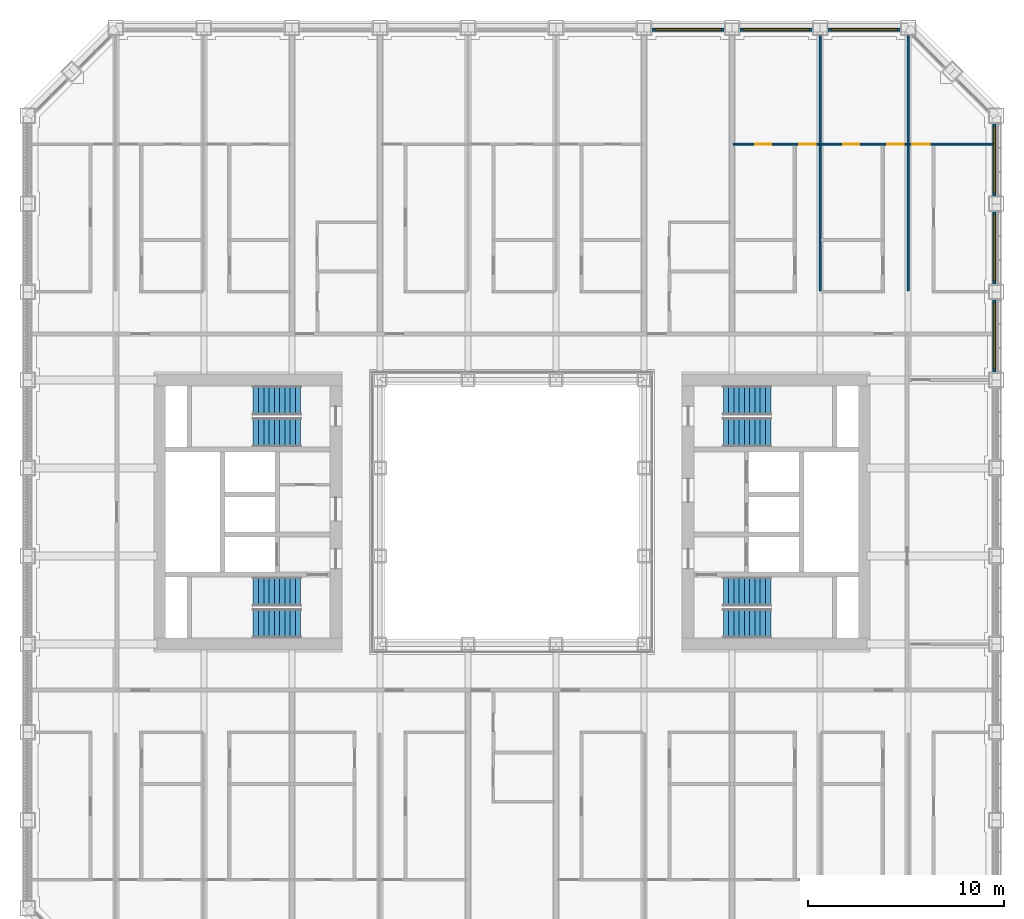
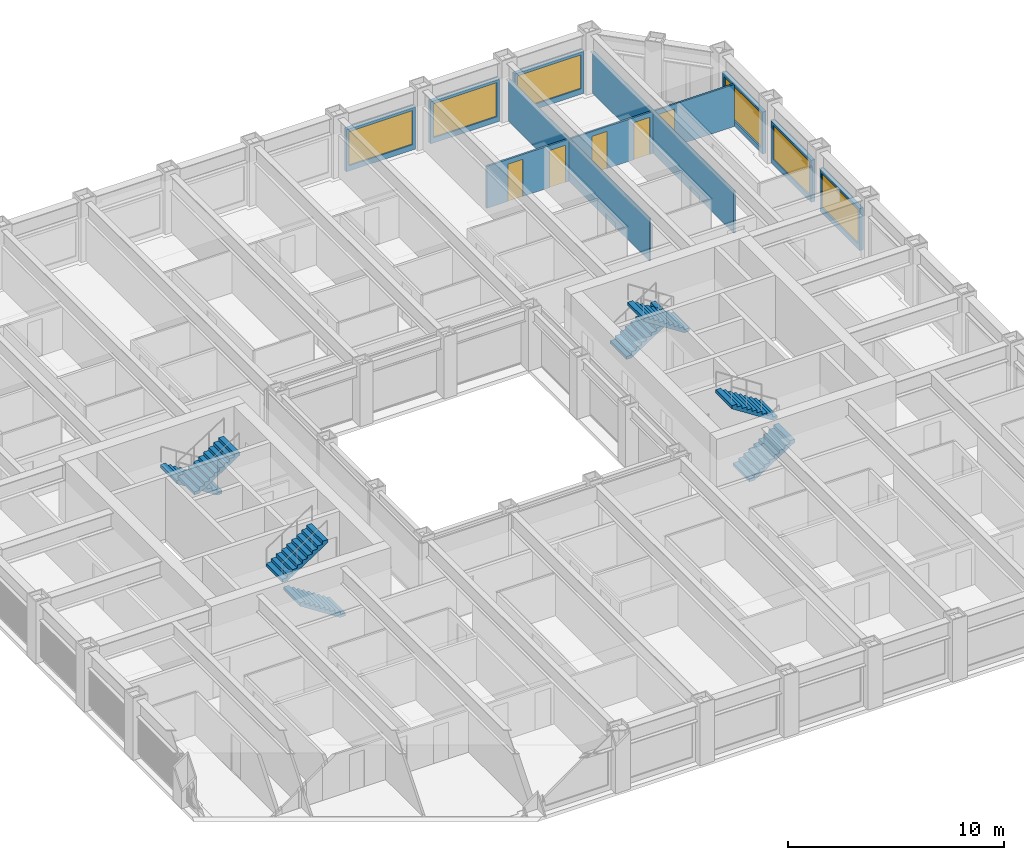
# One storey, part 15 of 20: 11 walls, 8 stair flights, 6 windows, 5 doors, 11 openings, 4 elements without a shape of their own.
"""IFC4 building model written with IfcOpenShell, lengths in metres."""

import ifcopenshell
import ifcopenshell.guid

model = None  # the IFC model being written
_history = None  # IfcOwnerHistory: only IFC2X3 demands one
_inside = {}  # id of a spatial element -> (the spatial element, [elements in it])
_under = {}  # id of a project, library or spatial element -> (it, [spatial elements below it])
_declared = {}  # id of a project -> (the project, [libraries it declares])
_typed = {}  # id of a type object -> (the type object, [elements of that type])
_made_of = {}  # id of a material, layer set ... -> (it, [elements and type objects made of it])


def new_model(schema):
    """Start an empty IFC model of exactly this schema.

    Asked for "IFC4X3", IfcOpenShell would pick the latest addendum, in which some entities
    have other attributes; the version numbers below select the first issue.
    IFC2X3 requires an IfcOwnerHistory on every rooted entity: one is made here for all.
    """
    global model, _history
    if schema == "IFC4X3":
        model = ifcopenshell.file(schema_version=(4, 3, 0, 0))
    else:
        model = ifcopenshell.file(schema=schema)
    _inside.clear()
    _under.clear()
    _declared.clear()
    _typed.clear()
    _made_of.clear()
    _history = None
    if model.schema == "IFC2X3":
        org = make("IfcOrganization", Name="unknown")
        user = make(
            "IfcPersonAndOrganization",
            ThePerson=make("IfcPerson", FamilyName="unknown"),
            TheOrganization=org,
        )
        app = make(
            "IfcApplication",
            ApplicationDeveloper=org,
            Version="unknown",
            ApplicationFullName="unknown",
            ApplicationIdentifier="unknown",
        )
        _history = make(
            "IfcOwnerHistory",
            OwningUser=user,
            OwningApplication=app,
            ChangeAction="ADDED",
            CreationDate=0,
        )
    return model


def make(cls, **values):
    """One entity of the class cls with the attributes given. An attribute that is None is left unset."""
    return model.create_entity(
        cls, **{name: value for name, value in values.items() if value is not None}
    )


def rooted(cls, **values):
    """An entity with a GlobalId (a new one), such as an element, a storey or a relation."""
    return make(cls, GlobalId=ifcopenshell.guid.new(), OwnerHistory=_history, **values)


def si_unit(unit_type, name, prefix=None):
    """IfcSIUnit, for example si_unit("LENGTHUNIT", "METRE", prefix="MILLI")."""
    return make("IfcSIUnit", UnitType=unit_type, Prefix=prefix, Name=name)


def assignment(units):
    """IfcUnitAssignment: the units of a project."""
    return None if units is None else make("IfcUnitAssignment", Units=units)


def point(xyz):
    """IfcCartesianPoint."""
    return None if xyz is None else make("IfcCartesianPoint", Coordinates=xyz)


def direction(xyz):
    """IfcDirection."""
    return None if xyz is None else make("IfcDirection", DirectionRatios=xyz)


def frame(location, z_axis=None, x_axis=None):
    """IfcAxis2Placement3D, a coordinate frame: its origin and axes. An axis left out is left unset."""
    return make(
        "IfcAxis2Placement3D",
        Location=point(location),
        Axis=direction(z_axis),
        RefDirection=direction(x_axis),
    )


def frame_2d(location, x_axis=None):
    """IfcAxis2Placement2D, a coordinate frame in the plane: its origin and x axis."""
    return make(
        "IfcAxis2Placement2D", Location=point(location), RefDirection=direction(x_axis)
    )


def origin():
    """The frame at (0, 0, 0) with its axes left unset."""
    return frame((0.0, 0.0, 0.0))


def place(relative_to, where):
    """IfcLocalPlacement: puts the frame where relative to a parent placement (None: the world)."""
    return make(
        "IfcLocalPlacement", PlacementRelTo=relative_to, RelativePlacement=where
    )


def context(
    kind, dimensions, precision=None, world=None, true_north=None, identifier=None
):
    """IfcGeometricRepresentationContext, for example the 3D "Model" context."""
    return make(
        "IfcGeometricRepresentationContext",
        ContextIdentifier=identifier,
        ContextType=kind,
        CoordinateSpaceDimension=dimensions,
        Precision=precision,
        WorldCoordinateSystem=world,
        TrueNorth=true_north,
    )


def subcontext(parent, identifier, kind, view, scale=None):
    """IfcGeometricRepresentationSubContext, for example "Body" below "Model"."""
    return make(
        "IfcGeometricRepresentationSubContext",
        ContextIdentifier=identifier,
        ContextType=kind,
        ParentContext=parent,
        TargetScale=scale,
        TargetView=view,
    )


def project(units=None, contexts=None):
    """IfcProject with its units and contexts."""
    return rooted(
        "IfcProject",
        Name="project",
        RepresentationContexts=contexts,
        UnitsInContext=assignment(units),
    )


def spatial(cls, under=None, at=None, **own):
    """A site, building, storey or space (cls), placed at a placement, below another one or the project."""
    s = rooted(cls, ObjectPlacement=at, **own)
    if under is not None:
        _under.setdefault(under.id(), (under, []))[1].append(s)
    return s


def polyline(points):
    """IfcPolyline through the points."""
    return make("IfcPolyline", Points=[point(p) for p in points])


def profile(cls, at=None, kind="AREA", **sizes):
    """A parametric profile (cls). Its sizes go by their IFC names, for example OverallWidth=200.0."""
    return make(cls, ProfileType=kind, Position=at, **sizes)


def rectangle(**sizes):
    """IfcRectangleProfileDef."""
    return profile("IfcRectangleProfileDef", **sizes)


def outline(outer, holes=None, kind="AREA"):
    """IfcArbitraryClosedProfileDef: a profile drawn as a closed curve; with holes, ...WithVoids."""
    if holes is None:
        return make("IfcArbitraryClosedProfileDef", ProfileType=kind, OuterCurve=outer)
    return make(
        "IfcArbitraryProfileDefWithVoids",
        ProfileType=kind,
        OuterCurve=outer,
        InnerCurves=holes,
    )


def extrude(swept, where, along, depth):
    """IfcExtrudedAreaSolid: the profile swept, set in the frame where, extruded along a direction by depth."""
    return make(
        "IfcExtrudedAreaSolid",
        SweptArea=swept,
        Position=where,
        ExtrudedDirection=direction(along),
        Depth=depth,
    )


def shape(context_of_items, identifier, shape_type, items):
    """IfcShapeRepresentation: the items that make up one representation, for example the "Body"."""
    return make(
        "IfcShapeRepresentation",
        ContextOfItems=context_of_items,
        RepresentationIdentifier=identifier,
        RepresentationType=shape_type,
        Items=items,
    )


def material(Name=None, Category=None):
    """IfcMaterial."""
    return make("IfcMaterial", Name=Name, Category=Category)


def layer(
    of_material, thickness, ventilated=None, Name=None, Category=None, Priority=None
):
    """IfcMaterialLayer: one layer of a wall or slab, of a material (None: an air gap)."""
    return make(
        "IfcMaterialLayer",
        Material=of_material,
        LayerThickness=thickness,
        IsVentilated=ventilated,
        Name=Name,
        Category=Category,
        Priority=Priority,
    )


def layer_set(layers, Name=None):
    """IfcMaterialLayerSet."""
    return make("IfcMaterialLayerSet", MaterialLayers=layers, LayerSetName=Name)


def made_of(thing, what):
    """Note that an element or type object is made of a material, layer set ...; save() writes the relation."""
    if what is not None:
        _made_of.setdefault(what.id(), (what, []))[1].append(thing)
    return thing


def type_object(cls, material=None, **own):
    """A type object (cls), such as IfcWallType, which elements share."""
    return made_of(rooted(cls, **own), material)


def element(
    cls,
    number,
    at=None,
    inside=None,
    cuts=None,
    type_object=None,
    material=None,
    context=None,
    identifier="Body",
    shape_type=None,
    held_by="IfcProductDefinitionShape",
    body=None,
    shapes=None,
    **own,
):
    """One element of the class cls, such as IfcWall. Its Tag is "e" and its number.

    at: its placement. inside: the storey or other place that contains it. cuts: it is an
    opening in that element (IfcRelVoidsElement). A single representation is given by context,
    identifier, shape_type and body (its items); several are given by shapes. held_by: the class
    of the entity that holds the representations. save() writes the other relations.
    """
    e = rooted(cls, Tag="e%d" % number, ObjectPlacement=at, **own)
    if body is not None:
        shapes = [shape(context, identifier, shape_type, body)]
    if shapes is not None:
        e.Representation = make(held_by, Representations=shapes)
    if inside is not None:
        _inside.setdefault(inside.id(), (inside, []))[1].append(e)
    if cuts is not None:
        rooted(
            "IfcRelVoidsElement", RelatingBuildingElement=cuts, RelatedOpeningElement=e
        )
    if type_object is not None:
        _typed.setdefault(type_object.id(), (type_object, []))[1].append(e)
    return made_of(e, material)


def fill(opening, filler):
    """IfcRelFillsElement: the door or window that sits in an opening."""
    return rooted(
        "IfcRelFillsElement",
        RelatingOpeningElement=opening,
        RelatedBuildingElement=filler,
    )


def aggregate(whole, parts):
    """IfcRelAggregates: a whole, such as a stair, and the parts it consists of."""
    return rooted("IfcRelAggregates", RelatingObject=whole, RelatedObjects=parts)


def save(model, path):
    """Write the relations noted so far, then the file.

    IfcRelAggregates (storeys below a building ...), IfcRelContainedInSpatialStructure (elements
    in a storey), IfcRelDefinesByType, IfcRelAssociatesMaterial and IfcRelDeclares: one each for
    every whole, place, type object, material and project.
    """
    for whole, parts in _under.values():
        aggregate(whole, parts)
    for where, things in _inside.values():
        rooted(
            "IfcRelContainedInSpatialStructure",
            RelatedElements=things,
            RelatingStructure=where,
        )
    for kind, things in _typed.values():
        rooted("IfcRelDefinesByType", RelatedObjects=things, RelatingType=kind)
    for what, things in _made_of.values():
        rooted("IfcRelAssociatesMaterial", RelatedObjects=things, RelatingMaterial=what)
    for by, libraries in _declared.values():
        rooted("IfcRelDeclares", RelatingContext=by, RelatedDefinitions=libraries)
    model.write(path)


model = new_model("IFC4")

# Units and contexts
model_context = context("Model", 3, precision=1e-05, world=origin(), true_north=direction((0.0, 1.0)))
body_context = subcontext(model_context, "Body", "Model", "MODEL_VIEW")
ifc_project = project(units=[si_unit("LENGTHUNIT", "METRE"), si_unit("AREAUNIT", "SQUARE_METRE"), si_unit("VOLUMEUNIT", "CUBIC_METRE"), si_unit("PLANEANGLEUNIT", "RADIAN"), si_unit("MASSUNIT", "GRAM", prefix="KILO")], contexts=[model_context])

# Site, building, storey
site_placement = place(None, origin())
site = spatial("IfcSite", under=ifc_project, at=site_placement, CompositionType="ELEMENT")
building_placement = place(site_placement, origin())
building = spatial("IfcBuilding", under=site, at=building_placement, Name="Msasa Ring Tower", CompositionType="ELEMENT")
storey_placement = place(building_placement, frame((0.0, 0.0, 58.0)))
storey = spatial("IfcBuildingStorey", under=building, at=storey_placement, Name="L14", CompositionType="ELEMENT", Elevation=58.0)

# Wall, opening, window
ifc_material_1 = material(Name="Terracotta rainscreen on blockwork", Category="masonry")
ifc_layer_1 = layer(ifc_material_1, 0.199951171875)
ifc_layer_set_1 = layer_set([ifc_layer_1], Name="FW1 TERRACOTTA-LINED INFILL BAY WALL 200")
wall_type_1 = type_object("IfcWallType", Name="FW1 TERRACOTTA-LINED INFILL BAY WALL 200", PredefinedType="SOLIDWALL", material=ifc_layer_set_1)
wall_1_placement = place(storey_placement, frame((24.64990234375, 7.155029296875, 0.0), z_axis=(0.0, 0.0, 1.0), x_axis=(0.0, 1.0, 0.0)))
wall_1 = element("IfcWall", 1, at=wall_1_placement, inside=storey, type_object=wall_type_1, Name="Infill bay wall E L14 17", PredefinedType="SOLIDWALL", context=body_context, shape_type="SweptSolid", body=[
    extrude(rectangle(XDim=3.68994140625, YDim=0.199951171875, at=frame_2d((1.844970703125, 0.0))), origin(), (0.0, 0.0, 1.0), 2.37890625),
])
opening_1_placement = place(wall_1_placement, frame((0.14501953125, 0.0, 0.300048828125)))
opening_1 = element("IfcOpeningElement", 2, at=opening_1_placement, cuts=wall_1, Name="Opening WN1", PredefinedType="OPENING", context=body_context, shape_type="SweptSolid", body=[
    extrude(rectangle(XDim=3.39990234375, YDim=1.928955078125, at=frame_2d((1.699951171875, 0.96435546875))), frame((0.0, 0.10986328125, 0.0), z_axis=(0.0, -1.0, 0.0), x_axis=(1.0, 0.0, 0.0)), (0.0, 0.0, 1.0), 0.219970703125),
])
ifc_material_2 = material(Name="Aluminium frame with clear glass", Category="aluminium")
window_type = type_object("IfcWindowType", Name="WN1 RESIDENCE WINDOW 3400x1929", PartitioningType="SINGLE_PANEL", PredefinedType="WINDOW", material=ifc_material_2)
window_1_placement = place(opening_1_placement, origin())
window_1 = element("IfcWindow", 3, at=window_1_placement, inside=storey, type_object=window_type, Name="Window E L14 17", OverallHeight=1.928955078125, OverallWidth=3.39990234375, PartitioningType="SINGLE_PANEL", PredefinedType="WINDOW", context=body_context, shape_type="SweptSolid", body=[
    extrude(rectangle(XDim=3.39990234375, YDim=1.928955078125, at=frame_2d((1.699951171875, 0.96435546875))), frame((0.0, 0.030029296875, 0.0), z_axis=(0.0, -1.0, 0.0), x_axis=(1.0, 0.0, 0.0)), (0.0, 0.0, 1.0), 0.06005859375),
])
fill(opening_1, window_1)

wall_2_placement = place(storey_placement, frame((24.64990234375, 11.655029296875, 0.0), z_axis=(0.0, 0.0, 1.0), x_axis=(0.0, 1.0, 0.0)))
wall_2 = element("IfcWall", 4, at=wall_2_placement, inside=storey, type_object=wall_type_1, Name="Infill bay wall E L14 18", PredefinedType="SOLIDWALL", context=body_context, shape_type="SweptSolid", body=[
    extrude(rectangle(XDim=3.68994140625, YDim=0.199951171875, at=frame_2d((1.844970703125, 0.0))), origin(), (0.0, 0.0, 1.0), 2.37890625),
])
opening_2_placement = place(wall_2_placement, frame((0.14501953125, 0.0, 0.300048828125)))
opening_2 = element("IfcOpeningElement", 5, at=opening_2_placement, cuts=wall_2, Name="Opening WN1", PredefinedType="OPENING", context=body_context, shape_type="SweptSolid", body=[
    extrude(rectangle(XDim=3.39990234375, YDim=1.928955078125, at=frame_2d((1.699951171875, 0.96435546875))), frame((0.0, 0.10986328125, 0.0), z_axis=(0.0, -1.0, 0.0), x_axis=(1.0, 0.0, 0.0)), (0.0, 0.0, 1.0), 0.219970703125),
])
window_2_placement = place(opening_2_placement, origin())
window_2 = element("IfcWindow", 6, at=window_2_placement, inside=storey, type_object=window_type, Name="Window E L14 18", OverallHeight=1.928955078125, OverallWidth=3.39990234375, PartitioningType="SINGLE_PANEL", PredefinedType="WINDOW", context=body_context, shape_type="SweptSolid", body=[
    extrude(rectangle(XDim=3.39990234375, YDim=1.928955078125, at=frame_2d((1.699951171875, 0.96435546875))), frame((0.0, 0.030029296875, 0.0), z_axis=(0.0, -1.0, 0.0), x_axis=(1.0, 0.0, 0.0)), (0.0, 0.0, 1.0), 0.06005859375),
])
fill(opening_2, window_2)

wall_3_placement = place(storey_placement, frame((24.64990234375, 16.155029296875, 0.0), z_axis=(0.0, 0.0, 1.0), x_axis=(0.0, 1.0, 0.0)))
wall_3 = element("IfcWall", 7, at=wall_3_placement, inside=storey, type_object=wall_type_1, Name="Infill bay wall E L14 19", PredefinedType="SOLIDWALL", context=body_context, shape_type="SweptSolid", body=[
    extrude(rectangle(XDim=3.68994140625, YDim=0.199951171875, at=frame_2d((1.844970703125, 0.0))), origin(), (0.0, 0.0, 1.0), 2.37890625),
])
opening_3_placement = place(wall_3_placement, frame((0.14501953125, 0.0, 0.300048828125)))
opening_3 = element("IfcOpeningElement", 8, at=opening_3_placement, cuts=wall_3, Name="Opening WN1", PredefinedType="OPENING", context=body_context, shape_type="SweptSolid", body=[
    extrude(rectangle(XDim=3.39990234375, YDim=1.928955078125, at=frame_2d((1.699951171875, 0.96435546875))), frame((0.0, 0.10986328125, 0.0), z_axis=(0.0, -1.0, 0.0), x_axis=(1.0, 0.0, 0.0)), (0.0, 0.0, 1.0), 0.219970703125),
])
window_3_placement = place(opening_3_placement, origin())
window_3 = element("IfcWindow", 9, at=window_3_placement, inside=storey, type_object=window_type, Name="Window E L14 19", OverallHeight=1.928955078125, OverallWidth=3.39990234375, PartitioningType="SINGLE_PANEL", PredefinedType="WINDOW", context=body_context, shape_type="SweptSolid", body=[
    extrude(rectangle(XDim=3.39990234375, YDim=1.928955078125, at=frame_2d((1.699951171875, 0.96435546875))), frame((0.0, 0.030029296875, 0.0), z_axis=(0.0, -1.0, 0.0), x_axis=(1.0, 0.0, 0.0)), (0.0, 0.0, 1.0), 0.06005859375),
])
fill(opening_3, window_3)

wall_4_placement = place(storey_placement, frame((7.155029296875, 24.64990234375, 0.0), z_axis=(0.0, 0.0, 1.0), x_axis=(1.0, 0.0, 0.0)))
wall_4 = element("IfcWall", 10, at=wall_4_placement, inside=storey, type_object=wall_type_1, Name="Infill bay wall N L14 28", PredefinedType="SOLIDWALL", context=body_context, shape_type="SweptSolid", body=[
    extrude(rectangle(XDim=3.68994140625, YDim=0.199951171875, at=frame_2d((1.844970703125, 0.0))), origin(), (0.0, 0.0, 1.0), 2.37890625),
])
opening_4_placement = place(wall_4_placement, frame((0.14501953125, 0.0, 0.300048828125)))
opening_4 = element("IfcOpeningElement", 11, at=opening_4_placement, cuts=wall_4, Name="Opening WN1", PredefinedType="OPENING", context=body_context, shape_type="SweptSolid", body=[
    extrude(rectangle(XDim=3.39990234375, YDim=1.928955078125, at=frame_2d((1.699951171875, 0.96435546875))), frame((0.0, 0.10986328125, 0.0), z_axis=(0.0, -1.0, 0.0), x_axis=(1.0, 0.0, 0.0)), (0.0, 0.0, 1.0), 0.219970703125),
])
window_4_placement = place(opening_4_placement, origin())
window_4 = element("IfcWindow", 12, at=window_4_placement, inside=storey, type_object=window_type, Name="Window N L14 28", OverallHeight=1.928955078125, OverallWidth=3.39990234375, PartitioningType="SINGLE_PANEL", PredefinedType="WINDOW", context=body_context, shape_type="SweptSolid", body=[
    extrude(rectangle(XDim=3.39990234375, YDim=1.928955078125, at=frame_2d((1.699951171875, 0.96435546875))), frame((0.0, 0.030029296875, 0.0), z_axis=(0.0, -1.0, 0.0), x_axis=(1.0, 0.0, 0.0)), (0.0, 0.0, 1.0), 0.06005859375),
])
fill(opening_4, window_4)

wall_5_placement = place(storey_placement, frame((11.655029296875, 24.64990234375, 0.0), z_axis=(0.0, 0.0, 1.0), x_axis=(1.0, 0.0, 0.0)))
wall_5 = element("IfcWall", 13, at=wall_5_placement, inside=storey, type_object=wall_type_1, Name="Infill bay wall N L14 29", PredefinedType="SOLIDWALL", context=body_context, shape_type="SweptSolid", body=[
    extrude(rectangle(XDim=3.68994140625, YDim=0.199951171875, at=frame_2d((1.844970703125, 0.0))), origin(), (0.0, 0.0, 1.0), 2.37890625),
])
opening_5_placement = place(wall_5_placement, frame((0.14501953125, 0.0, 0.300048828125)))
opening_5 = element("IfcOpeningElement", 14, at=opening_5_placement, cuts=wall_5, Name="Opening WN1", PredefinedType="OPENING", context=body_context, shape_type="SweptSolid", body=[
    extrude(rectangle(XDim=3.39990234375, YDim=1.928955078125, at=frame_2d((1.699951171875, 0.96435546875))), frame((0.0, 0.10986328125, 0.0), z_axis=(0.0, -1.0, 0.0), x_axis=(1.0, 0.0, 0.0)), (0.0, 0.0, 1.0), 0.219970703125),
])
window_5_placement = place(opening_5_placement, origin())
window_5 = element("IfcWindow", 15, at=window_5_placement, inside=storey, type_object=window_type, Name="Window N L14 29", OverallHeight=1.928955078125, OverallWidth=3.39990234375, PartitioningType="SINGLE_PANEL", PredefinedType="WINDOW", context=body_context, shape_type="SweptSolid", body=[
    extrude(rectangle(XDim=3.39990234375, YDim=1.928955078125, at=frame_2d((1.699951171875, 0.96435546875))), frame((0.0, 0.030029296875, 0.0), z_axis=(0.0, -1.0, 0.0), x_axis=(1.0, 0.0, 0.0)), (0.0, 0.0, 1.0), 0.06005859375),
])
fill(opening_5, window_5)

wall_6_placement = place(storey_placement, frame((16.155029296875, 24.64990234375, 0.0), z_axis=(0.0, 0.0, 1.0), x_axis=(1.0, 0.0, 0.0)))
wall_6 = element("IfcWall", 16, at=wall_6_placement, inside=storey, type_object=wall_type_1, Name="Infill bay wall N L14 30", PredefinedType="SOLIDWALL", context=body_context, shape_type="SweptSolid", body=[
    extrude(rectangle(XDim=3.68994140625, YDim=0.199951171875, at=frame_2d((1.844970703125, 0.0))), origin(), (0.0, 0.0, 1.0), 2.37890625),
])
opening_6_placement = place(wall_6_placement, frame((0.14501953125, 0.0, 0.300048828125)))
opening_6 = element("IfcOpeningElement", 17, at=opening_6_placement, cuts=wall_6, Name="Opening WN1", PredefinedType="OPENING", context=body_context, shape_type="SweptSolid", body=[
    extrude(rectangle(XDim=3.39990234375, YDim=1.928955078125, at=frame_2d((1.699951171875, 0.96435546875))), frame((0.0, 0.10986328125, 0.0), z_axis=(0.0, -1.0, 0.0), x_axis=(1.0, 0.0, 0.0)), (0.0, 0.0, 1.0), 0.219970703125),
])
window_6_placement = place(opening_6_placement, origin())
window_6 = element("IfcWindow", 18, at=window_6_placement, inside=storey, type_object=window_type, Name="Window N L14 30", OverallHeight=1.928955078125, OverallWidth=3.39990234375, PartitioningType="SINGLE_PANEL", PredefinedType="WINDOW", context=body_context, shape_type="SweptSolid", body=[
    extrude(rectangle(XDim=3.39990234375, YDim=1.928955078125, at=frame_2d((1.699951171875, 0.96435546875))), frame((0.0, 0.030029296875, 0.0), z_axis=(0.0, -1.0, 0.0), x_axis=(1.0, 0.0, 0.0)), (0.0, 0.0, 1.0), 0.06005859375),
])
fill(opening_6, window_6)

# Wall, opening, door
ifc_material_3 = material(Name="Gypsum board on steel studs", Category="steel")
ifc_layer_2 = layer(ifc_material_3, 0.10009765625)
ifc_layer_set_2 = layer_set([ifc_layer_2], Name="PT2 STUD PARTITION 100")
wall_type_2 = type_object("IfcWallType", Name="PT2 STUD PARTITION 100", PredefinedType="PARTITIONING", material=ifc_layer_set_2)
wall_7_placement = place(storey_placement, frame((20.300048828125, 18.800048828125, 0.0), z_axis=(0.0, 0.0, 1.0), x_axis=(1.0, 0.0, 0.0)))
wall_7 = element("IfcWall", 19, at=wall_7_placement, inside=storey, type_object=wall_type_2, Name="Partition L14-UN04SY0", PredefinedType="PARTITIONING", context=body_context, shape_type="SweptSolid", body=[
    extrude(rectangle(XDim=4.25, YDim=0.10009765625, at=frame_2d((2.125, 0.0))), origin(), (0.0, 0.0, 1.0), 2.373291015625),
])
opening_7_placement = place(wall_7_placement, frame((0.14990234375, 0.0, 0.0)))
opening_7 = element("IfcOpeningElement", 20, at=opening_7_placement, cuts=wall_7, Name="Opening RD-015", PredefinedType="OPENING", context=body_context, shape_type="SweptSolid", body=[
    extrude(rectangle(XDim=0.89990234375, YDim=2.10009765625, at=frame_2d((0.449951171875, 1.050048828125))), frame((0.0, 0.06005859375, 0.0), z_axis=(0.0, -1.0, 0.0), x_axis=(1.0, 0.0, 0.0)), (0.0, 0.0, 1.0), 0.1201171875),
])
ifc_material_4 = material(Name="Timber door leaf in a steel frame", Category="steel")
door_type_1 = type_object("IfcDoorType", Name="D22 INTERNAL HALL DOOR 900x2100", OperationType="SINGLE_SWING_LEFT", PredefinedType="DOOR", material=ifc_material_4)
door_1_placement = place(opening_7_placement, origin())
door_1 = element("IfcDoor", 21, at=door_1_placement, inside=storey, type_object=door_type_1, Name="Door L14-UN04L", OperationType="SINGLE_SWING_LEFT", OverallHeight=2.10009765625, OverallWidth=0.89990234375, PredefinedType="DOOR", context=body_context, shape_type="SweptSolid", body=[
    extrude(rectangle(XDim=0.89990234375, YDim=2.10009765625, at=frame_2d((0.449951171875, 1.050048828125))), frame((0.0, 0.02490234375, 0.0), z_axis=(0.0, -1.0, 0.0), x_axis=(1.0, 0.0, 0.0)), (0.0, 0.0, 1.0), 0.050048828125),
])
fill(opening_7, door_1)

# Wall
wall_8_placement = place(storey_placement, frame((20.25, 11.300048828125, 0.0), z_axis=(0.0, 0.0, 1.0), x_axis=(0.0, 1.0, 0.0)))
element("IfcWall", 22, at=wall_8_placement, inside=storey, type_object=wall_type_2, Name="Partition L14-UN04P1", PredefinedType="PARTITIONING", context=body_context, shape_type="SweptSolid", body=[
    extrude(rectangle(XDim=13.050048828125, YDim=0.10009765625, at=frame_2d((6.52490234375, 0.0))), origin(), (0.0, 0.0, 1.0), 2.373291015625),
])

# Wall, openings, doors
wall_9_placement = place(storey_placement, frame((15.800048828125, 18.800048828125, 0.0), z_axis=(0.0, 0.0, 1.0), x_axis=(1.0, 0.0, 0.0)))
wall_9 = element("IfcWall", 23, at=wall_9_placement, inside=storey, type_object=wall_type_2, Name="Partition L14-UN04SY1", PredefinedType="PARTITIONING", context=body_context, shape_type="SweptSolid", body=[
    extrude(rectangle(XDim=4.39990234375, YDim=0.10009765625, at=frame_2d((2.199951171875, 0.0))), origin(), (0.0, 0.0, 1.0), 2.373291015625),
])
opening_8_placement = place(wall_9_placement, frame((3.375, 0.0, 0.0)))
opening_8 = element("IfcOpeningElement", 24, at=opening_8_placement, cuts=wall_9, Name="Opening RD-014", PredefinedType="OPENING", context=body_context, shape_type="SweptSolid", body=[
    extrude(rectangle(XDim=0.85009765625, YDim=2.10009765625, at=frame_2d((0.425048828125, 1.050048828125))), frame((0.0, 0.06005859375, 0.0), z_axis=(0.0, -1.0, 0.0), x_axis=(1.0, 0.0, 0.0)), (0.0, 0.0, 1.0), 0.1201171875),
])
opening_9_placement = place(wall_9_placement, frame((1.139892578125, 0.0, 0.0)))
opening_9 = element("IfcOpeningElement", 25, at=opening_9_placement, cuts=wall_9, Name="Opening RD-013", PredefinedType="OPENING", context=body_context, shape_type="SweptSolid", body=[
    extrude(rectangle(XDim=0.800048828125, YDim=2.10009765625, at=frame_2d((0.39990234375, 1.050048828125))), frame((0.0, 0.06005859375, 0.0), z_axis=(0.0, -1.0, 0.0), x_axis=(1.0, 0.0, 0.0)), (0.0, 0.0, 1.0), 0.1201171875),
])
ifc_material_5 = material(Name="Timber door leaf in a steel frame", Category="steel")
door_type_2 = type_object("IfcDoorType", Name="D14 BEDROOM DOOR 850x2100", OperationType="SINGLE_SWING_LEFT", PredefinedType="DOOR", material=ifc_material_5)
door_2_placement = place(opening_8_placement, origin())
door_2 = element("IfcDoor", 26, at=door_2_placement, inside=storey, type_object=door_type_2, Name="Door L14-UN04R1", OperationType="SINGLE_SWING_RIGHT", OverallHeight=2.10009765625, OverallWidth=0.85009765625, PredefinedType="DOOR", context=body_context, shape_type="SweptSolid", body=[
    extrude(rectangle(XDim=0.85009765625, YDim=2.10009765625, at=frame_2d((0.425048828125, 1.050048828125))), frame((0.0, 0.02490234375, 0.0), z_axis=(0.0, -1.0, 0.0), x_axis=(1.0, 0.0, 0.0)), (0.0, 0.0, 1.0), 0.050048828125),
])
fill(opening_8, door_2)
ifc_material_6 = material(Name="Timber door leaf in a steel frame", Category="steel")
door_type_3 = type_object("IfcDoorType", Name="D60 DRESSING ROOM DOOR 800x2100", OperationType="SINGLE_SWING_LEFT", PredefinedType="DOOR", material=ifc_material_6)
door_3_placement = place(opening_9_placement, origin())
door_3 = element("IfcDoor", 27, at=door_3_placement, inside=storey, type_object=door_type_3, Name="Door L14-UN04W1", OperationType="SINGLE_SWING_LEFT", OverallHeight=2.10009765625, OverallWidth=0.800048828125, PredefinedType="DOOR", context=body_context, shape_type="SweptSolid", body=[
    extrude(rectangle(XDim=0.800048828125, YDim=2.10009765625, at=frame_2d((0.39990234375, 1.050048828125))), frame((0.0, 0.02490234375, 0.0), z_axis=(0.0, -1.0, 0.0), x_axis=(1.0, 0.0, 0.0)), (0.0, 0.0, 1.0), 0.050048828125),
])
fill(opening_9, door_3)

# Wall
wall_10_placement = place(storey_placement, frame((15.75, 11.300048828125, 0.0), z_axis=(0.0, 0.0, 1.0), x_axis=(0.0, 1.0, 0.0)))
element("IfcWall", 28, at=wall_10_placement, inside=storey, type_object=wall_type_2, Name="Partition L14-UN04P2", PredefinedType="PARTITIONING", context=body_context, shape_type="SweptSolid", body=[
    extrude(rectangle(XDim=13.050048828125, YDim=0.10009765625, at=frame_2d((6.52490234375, 0.0))), origin(), (0.0, 0.0, 1.0), 2.373291015625),
])

# Wall, openings, doors
wall_11_placement = place(storey_placement, frame((11.31005859375, 18.800048828125, 0.0), z_axis=(0.0, 0.0, 1.0), x_axis=(1.0, 0.0, 0.0)))
wall_11 = element("IfcWall", 29, at=wall_11_placement, inside=storey, type_object=wall_type_2, Name="Partition L14-UN04SY2", PredefinedType="PARTITIONING", context=body_context, shape_type="SweptSolid", body=[
    extrude(rectangle(XDim=4.389892578125, YDim=0.10009765625, at=frame_2d((2.19482421875, 0.0))), origin(), (0.0, 0.0, 1.0), 2.373291015625),
])
opening_10_placement = place(wall_11_placement, frame((3.364990234375, 0.0, 0.0)))
opening_10 = element("IfcOpeningElement", 30, at=opening_10_placement, cuts=wall_11, Name="Opening RD-012", PredefinedType="OPENING", context=body_context, shape_type="SweptSolid", body=[
    extrude(rectangle(XDim=0.85009765625, YDim=2.10009765625, at=frame_2d((0.425048828125, 1.050048828125))), frame((0.0, 0.06005859375, 0.0), z_axis=(0.0, -1.0, 0.0), x_axis=(1.0, 0.0, 0.0)), (0.0, 0.0, 1.0), 0.1201171875),
])
opening_11_placement = place(wall_11_placement, frame((1.1298828125, 0.0, 0.0)))
opening_11 = element("IfcOpeningElement", 31, at=opening_11_placement, cuts=wall_11, Name="Opening RD-011", PredefinedType="OPENING", context=body_context, shape_type="SweptSolid", body=[
    extrude(rectangle(XDim=0.800048828125, YDim=2.10009765625, at=frame_2d((0.39990234375, 1.050048828125))), frame((0.0, 0.06005859375, 0.0), z_axis=(0.0, -1.0, 0.0), x_axis=(1.0, 0.0, 0.0)), (0.0, 0.0, 1.0), 0.1201171875),
])
door_4_placement = place(opening_10_placement, origin())
door_4 = element("IfcDoor", 32, at=door_4_placement, inside=storey, type_object=door_type_2, Name="Door L14-UN04R2", OperationType="SINGLE_SWING_RIGHT", OverallHeight=2.10009765625, OverallWidth=0.85009765625, PredefinedType="DOOR", context=body_context, shape_type="SweptSolid", body=[
    extrude(rectangle(XDim=0.85009765625, YDim=2.10009765625, at=frame_2d((0.425048828125, 1.050048828125))), frame((0.0, 0.02490234375, 0.0), z_axis=(0.0, -1.0, 0.0), x_axis=(1.0, 0.0, 0.0)), (0.0, 0.0, 1.0), 0.050048828125),
])
fill(opening_10, door_4)
door_5_placement = place(opening_11_placement, origin())
door_5 = element("IfcDoor", 33, at=door_5_placement, inside=storey, type_object=door_type_3, Name="Door L14-UN04W2", OperationType="SINGLE_SWING_LEFT", OverallHeight=2.10009765625, OverallWidth=0.800048828125, PredefinedType="DOOR", context=body_context, shape_type="SweptSolid", body=[
    extrude(rectangle(XDim=0.800048828125, YDim=2.10009765625, at=frame_2d((0.39990234375, 1.050048828125))), frame((0.0, 0.02490234375, 0.0), z_axis=(0.0, -1.0, 0.0), x_axis=(1.0, 0.0, 0.0)), (0.0, 0.0, 1.0), 0.050048828125),
])
fill(opening_11, door_5)

# Stair, stair flights
ifc_material_7 = material(Name="Concrete C40/50", Category="concrete")
stair_type = type_object("IfcStairType", Name="STC CORE STAIR 20 RISERS 175", PredefinedType="HALF_TURN_STAIR", material=ifc_material_7)
stair_1_placement = place(storey_placement, origin())
stair_1 = element("IfcStair", 34, at=stair_1_placement, inside=storey, type_object=stair_type, Name="Core stair SEA L14", PredefinedType="HALF_TURN_STAIR")
ifc_material_8 = material(Name="Concrete C40/50", Category="concrete")
stair_flight_type = type_object("IfcStairFlightType", Name="ST12 CORE STAIR FLIGHT 1500 10 RISERS 175", PredefinedType="STRAIGHT", material=ifc_material_8)
stair_flight_1_placement = place(storey_placement, frame((10.800048828125, -5.699951171875, 0.0), z_axis=(0.0, 0.0, 1.0), x_axis=(1.0, 0.0, 0.0)))
stair_flight_1 = element("IfcStairFlight", 35, at=stair_flight_1_placement, type_object=stair_flight_type, Name="SEA flight 1", NumberOfRisers=10, NumberOfTreads=9, PredefinedType="STRAIGHT", RiserHeight=0.175, TreadLength=0.27, context=body_context, shape_type="SweptSolid", body=[
    extrude(outline(polyline([(0.0, 0.0), (0.0, 0.175048828125), (0.27001953125, 0.175048828125), (0.27001953125, 0.35009765625), (0.5400390625, 0.35009765625), (0.5400390625, 0.52490234375), (0.81005859375, 0.52490234375), (0.81005859375, 0.699951171875), (1.080078125, 0.699951171875), (1.080078125, 0.875), (1.35009765625, 0.875), (1.35009765625, 1.050048828125), (1.6201171875, 1.050048828125), (1.6201171875, 1.22509765625), (1.889892578125, 1.22509765625), (1.889892578125, 1.39990234375), (2.159912109375, 1.39990234375), (2.159912109375, 1.574951171875), (2.429931640625, 1.574951171875), (2.429931640625, 1.75), (2.429931640625, 1.396484375), (0.275634765625, 0.0), (0.0, 0.0)])), frame((0.0, 0.75, 0.0), z_axis=(0.0, -1.0, 0.0), x_axis=(1.0, 0.0, 0.0)), (0.0, 0.0, 1.0), 1.5),
])
stair_flight_2_placement = place(storey_placement, frame((13.22998046875, -4.074951171875, 1.75), z_axis=(0.0, 0.0, 1.0), x_axis=(-1.0, 0.0, 0.0)))
stair_flight_2 = element("IfcStairFlight", 36, at=stair_flight_2_placement, type_object=stair_flight_type, Name="SEA flight 2", NumberOfRisers=10, NumberOfTreads=9, PredefinedType="STRAIGHT", RiserHeight=0.175, TreadLength=0.27, context=body_context, shape_type="SweptSolid", body=[
    extrude(outline(polyline([(0.0, 0.0), (0.0, 0.175048828125), (0.27001953125, 0.175048828125), (0.27001953125, 0.35009765625), (0.5400390625, 0.35009765625), (0.5400390625, 0.52490234375), (0.81005859375, 0.52490234375), (0.81005859375, 0.699951171875), (1.080078125, 0.699951171875), (1.080078125, 0.875), (1.35009765625, 0.875), (1.35009765625, 1.050048828125), (1.6201171875, 1.050048828125), (1.6201171875, 1.22509765625), (1.889892578125, 1.22509765625), (1.889892578125, 1.39990234375), (2.159912109375, 1.39990234375), (2.159912109375, 1.574951171875), (2.429931640625, 1.574951171875), (2.429931640625, 1.75), (2.429931640625, 1.396484375), (0.275634765625, 0.0), (0.0, 0.0)])), frame((0.0, 0.75, 0.0), z_axis=(0.0, -1.0, 0.0), x_axis=(1.0, 0.0, 0.0)), (0.0, 0.0, 1.0), 1.5),
])
aggregate(stair_1, [stair_flight_1, stair_flight_2])

stair_2_placement = place(storey_placement, origin())
stair_2 = element("IfcStair", 37, at=stair_2_placement, inside=storey, type_object=stair_type, Name="Core stair SEB L14", PredefinedType="HALF_TURN_STAIR")
stair_flight_3_placement = place(storey_placement, frame((10.800048828125, 5.699951171875, 0.0), z_axis=(0.0, 0.0, 1.0), x_axis=(1.0, 0.0, 0.0)))
stair_flight_3 = element("IfcStairFlight", 38, at=stair_flight_3_placement, type_object=stair_flight_type, Name="SEB flight 1", NumberOfRisers=10, NumberOfTreads=9, PredefinedType="STRAIGHT", RiserHeight=0.175, TreadLength=0.27, context=body_context, shape_type="SweptSolid", body=[
    extrude(outline(polyline([(0.0, 0.0), (0.0, 0.175048828125), (0.27001953125, 0.175048828125), (0.27001953125, 0.35009765625), (0.5400390625, 0.35009765625), (0.5400390625, 0.52490234375), (0.81005859375, 0.52490234375), (0.81005859375, 0.699951171875), (1.080078125, 0.699951171875), (1.080078125, 0.875), (1.35009765625, 0.875), (1.35009765625, 1.050048828125), (1.6201171875, 1.050048828125), (1.6201171875, 1.22509765625), (1.889892578125, 1.22509765625), (1.889892578125, 1.39990234375), (2.159912109375, 1.39990234375), (2.159912109375, 1.574951171875), (2.429931640625, 1.574951171875), (2.429931640625, 1.75), (2.429931640625, 1.396484375), (0.275634765625, 0.0), (0.0, 0.0)])), frame((0.0, 0.75, 0.0), z_axis=(0.0, -1.0, 0.0), x_axis=(1.0, 0.0, 0.0)), (0.0, 0.0, 1.0), 1.5),
])
stair_flight_4_placement = place(storey_placement, frame((13.22998046875, 4.074951171875, 1.75), z_axis=(0.0, 0.0, 1.0), x_axis=(-1.0, 0.0, 0.0)))
stair_flight_4 = element("IfcStairFlight", 39, at=stair_flight_4_placement, type_object=stair_flight_type, Name="SEB flight 2", NumberOfRisers=10, NumberOfTreads=9, PredefinedType="STRAIGHT", RiserHeight=0.175, TreadLength=0.27, context=body_context, shape_type="SweptSolid", body=[
    extrude(outline(polyline([(0.0, 0.0), (0.0, 0.175048828125), (0.27001953125, 0.175048828125), (0.27001953125, 0.35009765625), (0.5400390625, 0.35009765625), (0.5400390625, 0.52490234375), (0.81005859375, 0.52490234375), (0.81005859375, 0.699951171875), (1.080078125, 0.699951171875), (1.080078125, 0.875), (1.35009765625, 0.875), (1.35009765625, 1.050048828125), (1.6201171875, 1.050048828125), (1.6201171875, 1.22509765625), (1.889892578125, 1.22509765625), (1.889892578125, 1.39990234375), (2.159912109375, 1.39990234375), (2.159912109375, 1.574951171875), (2.429931640625, 1.574951171875), (2.429931640625, 1.75), (2.429931640625, 1.396484375), (0.275634765625, 0.0), (0.0, 0.0)])), frame((0.0, 0.75, 0.0), z_axis=(0.0, -1.0, 0.0), x_axis=(1.0, 0.0, 0.0)), (0.0, 0.0, 1.0), 1.5),
])
aggregate(stair_2, [stair_flight_3, stair_flight_4])

stair_3_placement = place(storey_placement, origin())
stair_3 = element("IfcStair", 40, at=stair_3_placement, inside=storey, type_object=stair_type, Name="Core stair SWA L14", PredefinedType="HALF_TURN_STAIR")
stair_flight_5_placement = place(storey_placement, frame((-10.800048828125, -5.699951171875, 0.0), z_axis=(0.0, 0.0, 1.0), x_axis=(-1.0, 0.0, 0.0)))
stair_flight_5 = element("IfcStairFlight", 41, at=stair_flight_5_placement, type_object=stair_flight_type, Name="SWA flight 1", NumberOfRisers=10, NumberOfTreads=9, PredefinedType="STRAIGHT", RiserHeight=0.175, TreadLength=0.27, context=body_context, shape_type="SweptSolid", body=[
    extrude(outline(polyline([(0.0, 0.0), (0.0, 0.175048828125), (0.27001953125, 0.175048828125), (0.27001953125, 0.35009765625), (0.5400390625, 0.35009765625), (0.5400390625, 0.52490234375), (0.81005859375, 0.52490234375), (0.81005859375, 0.699951171875), (1.080078125, 0.699951171875), (1.080078125, 0.875), (1.35009765625, 0.875), (1.35009765625, 1.050048828125), (1.6201171875, 1.050048828125), (1.6201171875, 1.22509765625), (1.889892578125, 1.22509765625), (1.889892578125, 1.39990234375), (2.159912109375, 1.39990234375), (2.159912109375, 1.574951171875), (2.429931640625, 1.574951171875), (2.429931640625, 1.75), (2.429931640625, 1.396484375), (0.275634765625, 0.0), (0.0, 0.0)])), frame((0.0, 0.75, 0.0), z_axis=(0.0, -1.0, 0.0), x_axis=(1.0, 0.0, 0.0)), (0.0, 0.0, 1.0), 1.5),
])
stair_flight_6_placement = place(storey_placement, frame((-13.22998046875, -4.074951171875, 1.75), z_axis=(0.0, 0.0, 1.0), x_axis=(1.0, 0.0, 0.0)))
stair_flight_6 = element("IfcStairFlight", 42, at=stair_flight_6_placement, type_object=stair_flight_type, Name="SWA flight 2", NumberOfRisers=10, NumberOfTreads=9, PredefinedType="STRAIGHT", RiserHeight=0.175, TreadLength=0.27, context=body_context, shape_type="SweptSolid", body=[
    extrude(outline(polyline([(0.0, 0.0), (0.0, 0.175048828125), (0.27001953125, 0.175048828125), (0.27001953125, 0.35009765625), (0.5400390625, 0.35009765625), (0.5400390625, 0.52490234375), (0.81005859375, 0.52490234375), (0.81005859375, 0.699951171875), (1.080078125, 0.699951171875), (1.080078125, 0.875), (1.35009765625, 0.875), (1.35009765625, 1.050048828125), (1.6201171875, 1.050048828125), (1.6201171875, 1.22509765625), (1.889892578125, 1.22509765625), (1.889892578125, 1.39990234375), (2.159912109375, 1.39990234375), (2.159912109375, 1.574951171875), (2.429931640625, 1.574951171875), (2.429931640625, 1.75), (2.429931640625, 1.396484375), (0.275634765625, 0.0), (0.0, 0.0)])), frame((0.0, 0.75, 0.0), z_axis=(0.0, -1.0, 0.0), x_axis=(1.0, 0.0, 0.0)), (0.0, 0.0, 1.0), 1.5),
])
aggregate(stair_3, [stair_flight_5, stair_flight_6])

stair_4_placement = place(storey_placement, origin())
stair_4 = element("IfcStair", 43, at=stair_4_placement, inside=storey, type_object=stair_type, Name="Core stair SWB L14", PredefinedType="HALF_TURN_STAIR")
stair_flight_7_placement = place(storey_placement, frame((-10.800048828125, 5.699951171875, 0.0), z_axis=(0.0, 0.0, 1.0), x_axis=(-1.0, 0.0, 0.0)))
stair_flight_7 = element("IfcStairFlight", 44, at=stair_flight_7_placement, type_object=stair_flight_type, Name="SWB flight 1", NumberOfRisers=10, NumberOfTreads=9, PredefinedType="STRAIGHT", RiserHeight=0.175, TreadLength=0.27, context=body_context, shape_type="SweptSolid", body=[
    extrude(outline(polyline([(0.0, 0.0), (0.0, 0.175048828125), (0.27001953125, 0.175048828125), (0.27001953125, 0.35009765625), (0.5400390625, 0.35009765625), (0.5400390625, 0.52490234375), (0.81005859375, 0.52490234375), (0.81005859375, 0.699951171875), (1.080078125, 0.699951171875), (1.080078125, 0.875), (1.35009765625, 0.875), (1.35009765625, 1.050048828125), (1.6201171875, 1.050048828125), (1.6201171875, 1.22509765625), (1.889892578125, 1.22509765625), (1.889892578125, 1.39990234375), (2.159912109375, 1.39990234375), (2.159912109375, 1.574951171875), (2.429931640625, 1.574951171875), (2.429931640625, 1.75), (2.429931640625, 1.396484375), (0.275634765625, 0.0), (0.0, 0.0)])), frame((0.0, 0.75, 0.0), z_axis=(0.0, -1.0, 0.0), x_axis=(1.0, 0.0, 0.0)), (0.0, 0.0, 1.0), 1.5),
])
stair_flight_8_placement = place(storey_placement, frame((-13.22998046875, 4.074951171875, 1.75), z_axis=(0.0, 0.0, 1.0), x_axis=(1.0, 0.0, 0.0)))
stair_flight_8 = element("IfcStairFlight", 45, at=stair_flight_8_placement, type_object=stair_flight_type, Name="SWB flight 2", NumberOfRisers=10, NumberOfTreads=9, PredefinedType="STRAIGHT", RiserHeight=0.175, TreadLength=0.27, context=body_context, shape_type="SweptSolid", body=[
    extrude(outline(polyline([(0.0, 0.0), (0.0, 0.175048828125), (0.27001953125, 0.175048828125), (0.27001953125, 0.35009765625), (0.5400390625, 0.35009765625), (0.5400390625, 0.52490234375), (0.81005859375, 0.52490234375), (0.81005859375, 0.699951171875), (1.080078125, 0.699951171875), (1.080078125, 0.875), (1.35009765625, 0.875), (1.35009765625, 1.050048828125), (1.6201171875, 1.050048828125), (1.6201171875, 1.22509765625), (1.889892578125, 1.22509765625), (1.889892578125, 1.39990234375), (2.159912109375, 1.39990234375), (2.159912109375, 1.574951171875), (2.429931640625, 1.574951171875), (2.429931640625, 1.75), (2.429931640625, 1.396484375), (0.275634765625, 0.0), (0.0, 0.0)])), frame((0.0, 0.75, 0.0), z_axis=(0.0, -1.0, 0.0), x_axis=(1.0, 0.0, 0.0)), (0.0, 0.0, 1.0), 1.5),
])
aggregate(stair_4, [stair_flight_7, stair_flight_8])

save(model, "model.ifc")
